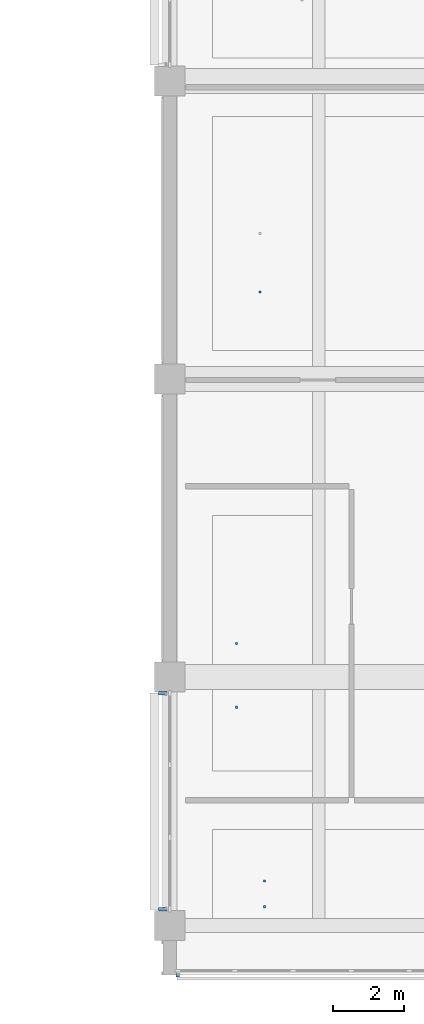
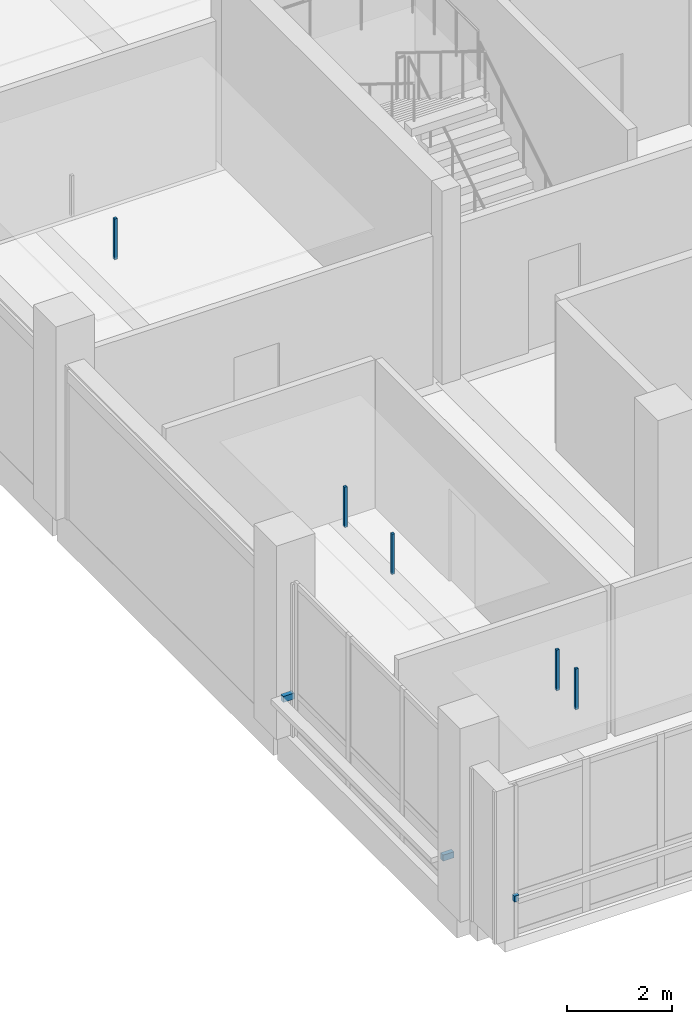
# One storey, part 16 of 39: 8 discrete accessories.
"""IFC4 building model written with IfcOpenShell, lengths in metres."""

from ifc_helpers import new_model, si_unit, direction, frame, origin, origin_2d, place, context, subcontext, project, spatial, rectangle, extrude, material, type_object, element, save


model = new_model("IFC4")

# Units and contexts
model_context = context("Model", 3, precision=1e-05, world=origin(), true_north=direction((0.0, 1.0)))
body_context = subcontext(model_context, "Body", "Model", "MODEL_VIEW")
ifc_project = project(units=[si_unit("LENGTHUNIT", "METRE"), si_unit("AREAUNIT", "SQUARE_METRE"), si_unit("VOLUMEUNIT", "CUBIC_METRE"), si_unit("PLANEANGLEUNIT", "RADIAN"), si_unit("MASSUNIT", "GRAM", prefix="KILO")], contexts=[model_context])

# Site, building, storey
site_placement = place(None, origin())
site = spatial("IfcSite", under=ifc_project, at=site_placement, CompositionType="ELEMENT")
building_placement = place(site_placement, origin())
building = spatial("IfcBuilding", under=site, at=building_placement, Name="Telukmera Botanical Conservatory", CompositionType="ELEMENT")
storey_placement = place(building_placement, frame((0.0, 0.0, 19.5)))
storey = spatial("IfcBuildingStorey", under=building, at=storey_placement, Name="L04", CompositionType="ELEMENT", Elevation=19.5)

# Discrete accessories
ifc_material = material(Name="Steel S355", Category="steel")
discrete_accessory_type_1 = type_object("IfcDiscreteAccessoryType", Name="ACC-CEIL-HGR", PredefinedType="BRACKET", material=ifc_material)
discrete_accessory_1_placement = place(storey_placement, frame((52.94189453125, 28.449951171875, 3.31005859375), z_axis=(0.0, 0.0, 1.0), x_axis=(1.0, 0.0, 0.0)))
element("IfcDiscreteAccessory", 1, at=discrete_accessory_1_placement, inside=storey, type_object=discrete_accessory_type_1, Name="L04 Suspended Ceiling Hanger Rod 018-1", PredefinedType="BRACKET", context=body_context, shape_type="SweptSolid", body=[
    extrude(rectangle(XDim=0.06005859375, YDim=0.06005859375, at=origin_2d()), origin(), (0.0, 0.0, 1.0), 0.945068359375),
])
for number, where, z_axis, x_axis, name in (
    (2, (52.281982421875, 16.75, 3.320068359375), (0.0, 0.0, 1.0), (1.0, 0.0, 0.0), "L04 Suspended Ceiling Hanger Rod 027-1"),
    (3, (52.281982421875, 18.550048828125, 3.320068359375), (0.0, 0.0, 1.0), (1.0, 0.0, 0.0), "L04 Suspended Ceiling Hanger Rod 027-2"),
):
    element("IfcDiscreteAccessory", number, at=place(storey_placement, frame(where, z_axis=z_axis, x_axis=x_axis)), inside=storey, type_object=discrete_accessory_type_1, Name=name, PredefinedType="BRACKET", context=body_context, shape_type="SweptSolid", body=[
        extrude(rectangle(XDim=0.06005859375, YDim=0.06005859375, at=origin_2d()), origin(), (0.0, 0.0, 1.0), 0.93505859375),
    ])
for number, where, z_axis, x_axis, name in (
    (4, (53.0751953125, 11.125, 3.31005859375), (0.0, 0.0, 1.0), (1.0, 0.0, 0.0), "L04 Suspended Ceiling Hanger Rod 030-1"),
    (5, (53.0751953125, 11.85009765625, 3.31005859375), (0.0, 0.0, 1.0), (1.0, 0.0, 0.0), "L04 Suspended Ceiling Hanger Rod 030-2"),
):
    element("IfcDiscreteAccessory", number, at=place(storey_placement, frame(where, z_axis=z_axis, x_axis=x_axis)), inside=storey, type_object=discrete_accessory_type_1, Name=name, PredefinedType="BRACKET", context=body_context, shape_type="SweptSolid", body=[
        extrude(rectangle(XDim=0.06005859375, YDim=0.06005859375, at=origin_2d()), origin(), (0.0, 0.0, 1.0), 0.945068359375),
    ])
discrete_accessory_type_2 = type_object("IfcDiscreteAccessoryType", Name="Structural Steel Facade Outrigger Fin Bracket", PredefinedType="BRACKET", material=ifc_material)
discrete_accessory_2_placement = place(storey_placement, frame((50.62451171875, 9.195068359375, 0.8798828125), z_axis=(0.0, 0.0, 1.0), x_axis=(1.0, 0.0, 0.0)))
element("IfcDiscreteAccessory", 6, at=discrete_accessory_2_placement, inside=storey, type_object=discrete_accessory_type_2, Name="Facade Outrigger Bracket V4:L04:S1 A", PredefinedType="BRACKET", context=body_context, shape_type="SweptSolid", body=[
    extrude(rectangle(XDim=0.10009765625, YDim=0.090087890625, at=origin_2d()), origin(), (0.0, 0.0, 1.0), 0.139892578125),
])
for number, where, z_axis, x_axis, name in (
    (7, (50.199951171875, 11.0595703125, 0.8798828125), (0.0, 0.0, 1.0), (0.0, 1.0, 0.0), "Facade Outrigger Bracket V4:L04:W1 A"),
    (8, (50.199951171875, 17.140380859375, 0.8798828125), (0.0, 0.0, 1.0), (0.0, 1.0, 0.0), "Facade Outrigger Bracket V4:L04:W1 B"),
):
    element("IfcDiscreteAccessory", number, at=place(storey_placement, frame(where, z_axis=z_axis, x_axis=x_axis)), inside=storey, type_object=discrete_accessory_type_2, Name=name, PredefinedType="BRACKET", context=body_context, shape_type="SweptSolid", body=[
        extrude(rectangle(XDim=0.10009765625, YDim=0.239990234375, at=origin_2d()), origin(), (0.0, 0.0, 1.0), 0.139892578125),
    ])

save(model, "model.ifc")
